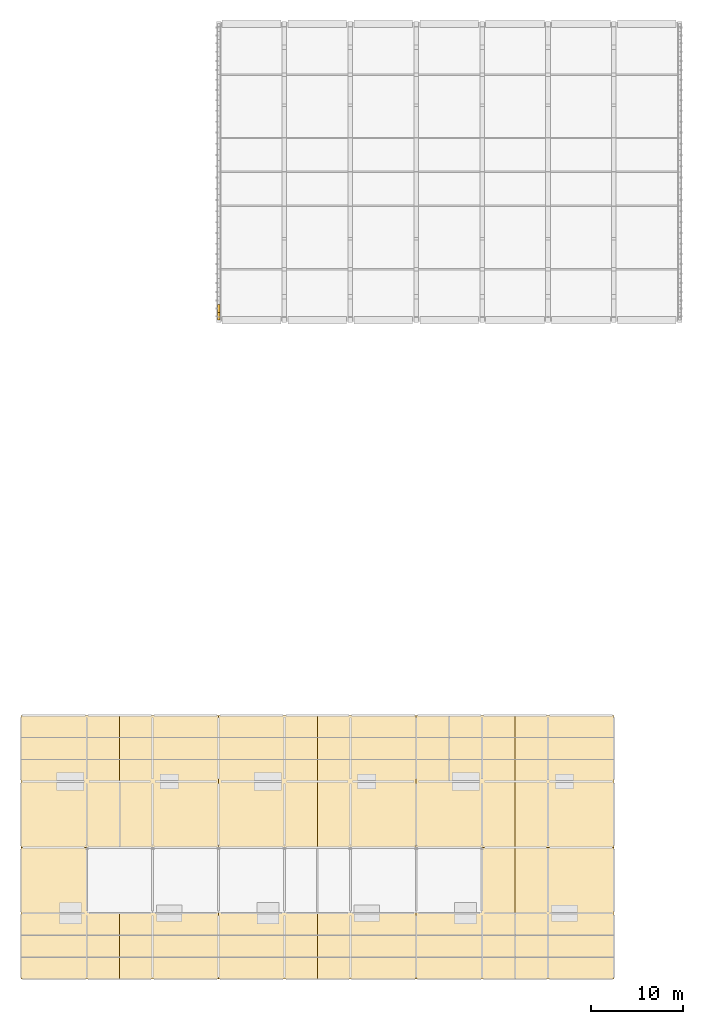
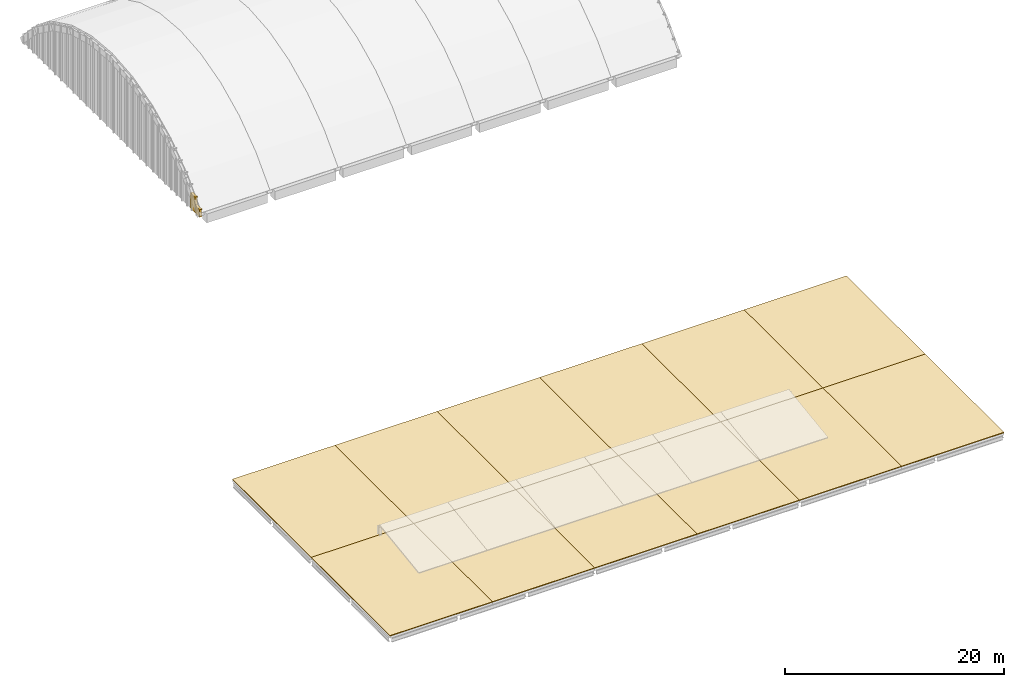
# One storey, part 14 of 16: 14 coverings.
"""IFC4 building model written with IfcOpenShell, lengths in metres."""

from ifc_helpers import new_model, si_unit, direction, frame, frame_2d, origin, place, context, subcontext, project, spatial, polyline, rectangle, outline, extrude, material, layer, layer_set, type_object, element, save


model = new_model("IFC4")

# Units and contexts
model_context = context("Model", 3, precision=1e-05, world=origin(), true_north=direction((0.0, 1.0)))
body_context = subcontext(model_context, "Body", "Model", "MODEL_VIEW")
ifc_project = project(units=[si_unit("LENGTHUNIT", "METRE"), si_unit("AREAUNIT", "SQUARE_METRE"), si_unit("VOLUMEUNIT", "CUBIC_METRE"), si_unit("PLANEANGLEUNIT", "RADIAN"), si_unit("MASSUNIT", "GRAM", prefix="KILO")], contexts=[model_context])

# Site, building, storey
site_placement = place(None, origin())
site = spatial("IfcSite", under=ifc_project, at=site_placement, CompositionType="ELEMENT")
building_placement = place(site_placement, origin())
building = spatial("IfcBuilding", under=site, at=building_placement, Name="Sardonyx Promenade Sports Hall", CompositionType="ELEMENT")
storey_placement = place(building_placement, frame((0.0, 0.0, 24.800048828125)))
storey = spatial("IfcBuildingStorey", under=building, at=storey_placement, Name="RF", CompositionType="ELEMENT", Elevation=24.800048828125)

# Coverings
ifc_material_1 = material(Name="Carved Cape red sandstone ashlar", Category="masonry")
ifc_layer_1 = layer(ifc_material_1, 0.239990234375)
ifc_layer_set_1 = layer_set([ifc_layer_1], Name="Cov_Mughal_Arch")
covering_type_1 = type_object("IfcCoveringType", Name="Cov_Mughal_Arch", PredefinedType="CLADDING", material=ifc_layer_set_1)
covering_1_placement = place(storey_placement, frame((28.800048828125, 72.0, -4.420166015625), z_axis=(0.0, 0.0, 1.0), x_axis=(0.0, 1.0, 0.0)))
element("IfcCovering", 1, at=covering_1_placement, inside=storey, type_object=covering_type_1, Name="Barrel-vault arched tympanum V1-W #1", PredefinedType="CLADDING", context=body_context, shape_type="SweptSolid", body=[
    extrude(rectangle(XDim=0.855712890625, YDim=0.280029296875, at=frame_2d((0.427734375, 0.0))), origin(), (0.0, 0.0, 1.0), 0.82763671875),
])
covering_2_placement = place(storey_placement, frame((28.800048828125, 72.855712890625, -4.420166015625), z_axis=(0.0, 0.0, 1.0), x_axis=(0.0, 1.0, 0.0)))
element("IfcCovering", 2, at=covering_2_placement, inside=storey, type_object=covering_type_1, Name="Barrel-vault arched tympanum V1-W #2", PredefinedType="CLADDING", context=body_context, shape_type="SweptSolid", body=[
    extrude(rectangle(XDim=0.85595703125, YDim=0.280029296875, at=frame_2d((0.427978515625, 0.0))), origin(), (0.0, 0.0, 1.0), 1.722412109375),
])
ifc_material_2 = material(Name="TPO insulated waterproof roofing membrane", Category="other")
ifc_layer_2 = layer(ifc_material_2, 0.080078125)
ifc_layer_set_2 = layer_set([ifc_layer_2], Name="Cov_Roofing_Membrane")
covering_type_2 = type_object("IfcCoveringType", Name="Cov_Roofing_Membrane", PredefinedType="ROOFING", material=ifc_layer_set_2)
covering_3_placement = place(storey_placement, origin())
element("IfcCovering", 3, at=covering_3_placement, inside=storey, type_object=covering_type_2, Name="Insulated TPO roofing membrane RF #1", PredefinedType="ROOFING", context=body_context, shape_type="SweptSolid", body=[
    extrude(outline(polyline([(7.199951171875, 0.0), (18.0, 0.0), (18.0, 14.39990234375), (7.199951171875, 14.39990234375), (7.199951171875, 0.0)])), origin(), (0.0, 0.0, 1.0), 0.079833984375),
])
covering_4_placement = place(storey_placement, origin())
element("IfcCovering", 4, at=covering_4_placement, inside=storey, type_object=covering_type_2, Name="Insulated TPO roofing membrane RF #2", PredefinedType="ROOFING", context=body_context, shape_type="SweptSolid", body=[
    extrude(outline(polyline([(7.199951171875, 14.39990234375), (18.0, 14.39990234375), (18.0, 28.800048828125), (7.199951171875, 28.800048828125), (7.199951171875, 14.39990234375)])), origin(), (0.0, 0.0, 1.0), 0.079833984375),
])
covering_5_placement = place(storey_placement, origin())
element("IfcCovering", 5, at=covering_5_placement, inside=storey, type_object=covering_type_2, Name="Insulated TPO roofing membrane RF #3", PredefinedType="ROOFING", context=body_context, shape_type="SweptSolid", body=[
    extrude(outline(polyline([(18.0, 0.0), (28.800048828125, 0.0), (28.800048828125, 14.39990234375), (18.0, 14.39990234375), (18.0, 0.0)])), origin(), (0.0, 0.0, 1.0), 0.079833984375),
])
covering_6_placement = place(storey_placement, origin())
element("IfcCovering", 6, at=covering_6_placement, inside=storey, type_object=covering_type_2, Name="Insulated TPO roofing membrane RF #4", PredefinedType="ROOFING", context=body_context, shape_type="SweptSolid", body=[
    extrude(outline(polyline([(18.0, 14.39990234375), (28.800048828125, 14.39990234375), (28.800048828125, 28.800048828125), (18.0, 28.800048828125), (18.0, 14.39990234375)])), origin(), (0.0, 0.0, 1.0), 0.079833984375),
])
covering_7_placement = place(storey_placement, origin())
element("IfcCovering", 7, at=covering_7_placement, inside=storey, type_object=covering_type_2, Name="Insulated TPO roofing membrane RF #5", PredefinedType="ROOFING", context=body_context, shape_type="SweptSolid", body=[
    extrude(outline(polyline([(28.800048828125, 0.0), (39.60009765625, 0.0), (39.60009765625, 14.39990234375), (28.800048828125, 14.39990234375), (28.800048828125, 0.0)])), origin(), (0.0, 0.0, 1.0), 0.079833984375),
])
covering_8_placement = place(storey_placement, origin())
element("IfcCovering", 8, at=covering_8_placement, inside=storey, type_object=covering_type_2, Name="Insulated TPO roofing membrane RF #6", PredefinedType="ROOFING", context=body_context, shape_type="SweptSolid", body=[
    extrude(outline(polyline([(28.800048828125, 14.39990234375), (39.60009765625, 14.39990234375), (39.60009765625, 28.800048828125), (28.800048828125, 28.800048828125), (28.800048828125, 14.39990234375)])), origin(), (0.0, 0.0, 1.0), 0.079833984375),
])
covering_9_placement = place(storey_placement, origin())
element("IfcCovering", 9, at=covering_9_placement, inside=storey, type_object=covering_type_2, Name="Insulated TPO roofing membrane RF #7", PredefinedType="ROOFING", context=body_context, shape_type="SweptSolid", body=[
    extrude(outline(polyline([(39.60009765625, 0.0), (50.39990234375, 0.0), (50.39990234375, 14.39990234375), (39.60009765625, 14.39990234375), (39.60009765625, 0.0)])), origin(), (0.0, 0.0, 1.0), 0.079833984375),
])
covering_10_placement = place(storey_placement, origin())
element("IfcCovering", 10, at=covering_10_placement, inside=storey, type_object=covering_type_2, Name="Insulated TPO roofing membrane RF #8", PredefinedType="ROOFING", context=body_context, shape_type="SweptSolid", body=[
    extrude(outline(polyline([(39.60009765625, 14.39990234375), (50.39990234375, 14.39990234375), (50.39990234375, 28.800048828125), (39.60009765625, 28.800048828125), (39.60009765625, 14.39990234375)])), origin(), (0.0, 0.0, 1.0), 0.079833984375),
])
covering_11_placement = place(storey_placement, origin())
element("IfcCovering", 11, at=covering_11_placement, inside=storey, type_object=covering_type_2, Name="Insulated TPO roofing membrane RF #9", PredefinedType="ROOFING", context=body_context, shape_type="SweptSolid", body=[
    extrude(outline(polyline([(50.39990234375, 0.0), (61.199951171875, 0.0), (61.199951171875, 14.39990234375), (50.39990234375, 14.39990234375), (50.39990234375, 0.0)])), origin(), (0.0, 0.0, 1.0), 0.079833984375),
])
covering_12_placement = place(storey_placement, origin())
element("IfcCovering", 12, at=covering_12_placement, inside=storey, type_object=covering_type_2, Name="Insulated TPO roofing membrane RF #10", PredefinedType="ROOFING", context=body_context, shape_type="SweptSolid", body=[
    extrude(outline(polyline([(50.39990234375, 14.39990234375), (61.199951171875, 14.39990234375), (61.199951171875, 28.800048828125), (50.39990234375, 28.800048828125), (50.39990234375, 14.39990234375)])), origin(), (0.0, 0.0, 1.0), 0.079833984375),
])
covering_13_placement = place(storey_placement, origin())
element("IfcCovering", 13, at=covering_13_placement, inside=storey, type_object=covering_type_2, Name="Insulated TPO roofing membrane RF #11", PredefinedType="ROOFING", context=body_context, shape_type="SweptSolid", body=[
    extrude(outline(polyline([(61.199951171875, 0.0), (72.0, 0.0), (72.0, 14.39990234375), (61.199951171875, 14.39990234375), (61.199951171875, 0.0)])), origin(), (0.0, 0.0, 1.0), 0.079833984375),
])
covering_14_placement = place(storey_placement, origin())
element("IfcCovering", 14, at=covering_14_placement, inside=storey, type_object=covering_type_2, Name="Insulated TPO roofing membrane RF #12", PredefinedType="ROOFING", context=body_context, shape_type="SweptSolid", body=[
    extrude(outline(polyline([(61.199951171875, 14.39990234375), (72.0, 14.39990234375), (72.0, 28.800048828125), (61.199951171875, 28.800048828125), (61.199951171875, 14.39990234375)])), origin(), (0.0, 0.0, 1.0), 0.079833984375),
])

save(model, "model.ifc")
